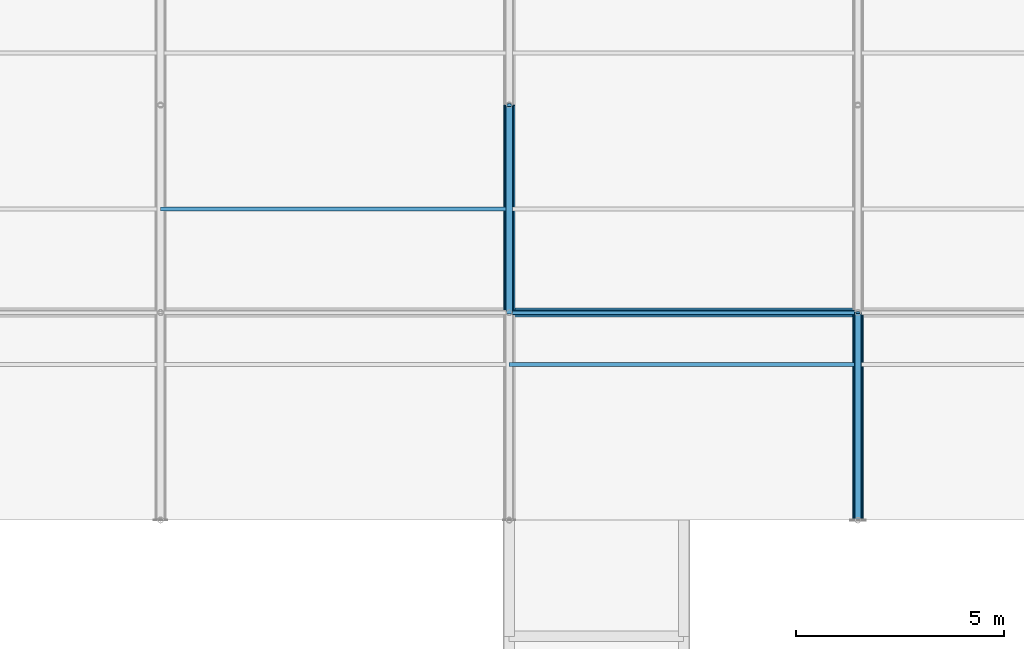
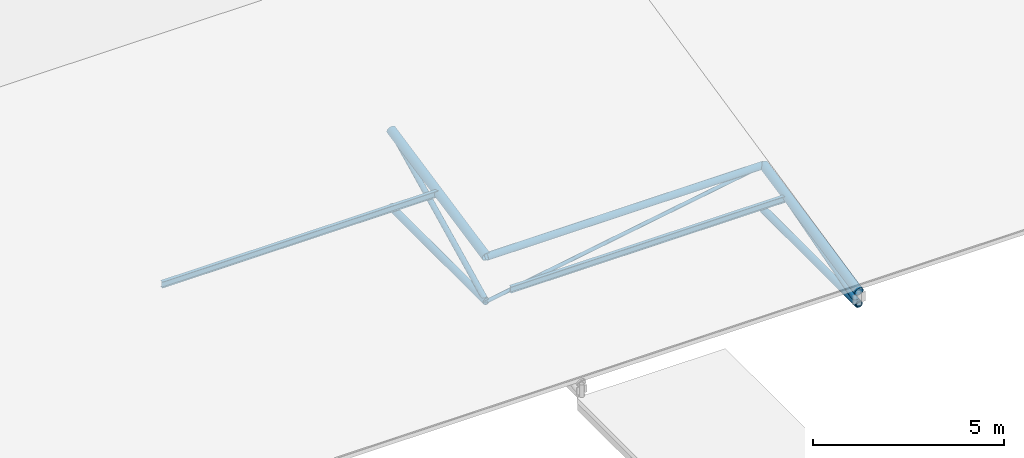
# One storey, part 21 of 194: 8 members, 2 beams.
"""IFC4 building model written with IfcOpenShell, lengths in metres."""

from ifc_helpers import new_model, si_unit, direction, frame, origin, origin_2d, place, context, subcontext, project, spatial, hollow_circle, i_section, extrude, material, material_profile, profile_set, type_object, element, save


model = new_model("IFC4")

# Units and contexts
model_context = context("Model", 3, precision=1e-05, world=origin(), true_north=direction((0.0, 1.0)))
body_context = subcontext(model_context, "Body", "Model", "MODEL_VIEW")
ifc_project = project(units=[si_unit("LENGTHUNIT", "METRE"), si_unit("AREAUNIT", "SQUARE_METRE"), si_unit("VOLUMEUNIT", "CUBIC_METRE"), si_unit("PLANEANGLEUNIT", "RADIAN"), si_unit("MASSUNIT", "GRAM", prefix="KILO")], contexts=[model_context])

# Site, building, storey
site_placement = place(None, origin())
site = spatial("IfcSite", under=ifc_project, at=site_placement, CompositionType="ELEMENT")
building_placement = place(site_placement, origin())
building = spatial("IfcBuilding", under=site, at=building_placement, Name="Kazenagashi Tramway Depot", CompositionType="ELEMENT")
storey_placement = place(building_placement, frame((0.0, 0.0, 23.7)))
storey = spatial("IfcBuildingStorey", under=building, at=storey_placement, Name="ROOF", CompositionType="ELEMENT", Elevation=23.7)

# Beams
ifc_material_1 = material(Name="Steel SN400B", Category="steel")
ifc_material_profile_1 = material_profile(ifc_material_1, i_section(OverallWidth=0.1, OverallDepth=0.2, WebThickness=0.0055, FlangeThickness=0.008, at=origin_2d()), Name="H-200x100x5.5x8")
ifc_profile_set_1 = profile_set([ifc_material_profile_1], Name="Steel SN400B")
beam_type = type_object("IfcBeamType", Name="PR-01", PredefinedType="USERDEFINED", material=ifc_profile_set_1)
for number, where, z_axis, x_axis, name in (
    (1, (86.8, 73.75, -12.955), (1.0, 0.0, 0.0), (0.0, 1.0, 0.0), "Beam PR-01 BM-2023"),
    (2, (78.4, 77.5, -12.13), (1.0, 0.0, 0.0), (0.0, 1.0, 0.0), "Beam PR-01 BM-2040"),
):
    element("IfcBeam", number, at=place(storey_placement, frame(where, z_axis=z_axis, x_axis=x_axis)), inside=storey, type_object=beam_type, Name=name, ObjectType="PURLIN", PredefinedType="USERDEFINED", context=body_context, shape_type="SweptSolid", body=[
        extrude(i_section(OverallWidth=0.1, OverallDepth=0.2, WebThickness=0.0055, FlangeThickness=0.008, at=origin_2d()), origin(), (0.0, 0.0, 1.0), 8.4),
    ])

# Members
ifc_material_2 = material(Name="Steel STK490", Category="steel")
ifc_material_profile_2 = material_profile(ifc_material_2, hollow_circle(Radius=0.1337, WallThickness=0.0093, at=origin_2d()), Name="CHS-267.4x9.3")
ifc_profile_set_2 = profile_set([ifc_material_profile_2], Name="Steel STK490")
member_type_1 = type_object("IfcMemberType", Name="TC-01", PredefinedType="CHORD", material=ifc_profile_set_2)
member_1_placement = place(storey_placement, frame((86.8, 75.0, -12.667), z_axis=(0.0, 0.979279174591, 0.202514933305), x_axis=(-1.0, 0.0, 0.0)))
element("IfcMember", 3, at=member_1_placement, inside=storey, type_object=member_type_1, Name="Tubular Space Frame TC-01 MEM-0309", PredefinedType="CHORD", context=body_context, shape_type="SweptSolid", body=[
    extrude(hollow_circle(Radius=0.1337, WallThickness=0.0093, at=origin_2d()), origin(), (0.0, 0.0, 1.0), 5.105796),
])
member_2_placement = place(storey_placement, frame((95.2, 70.0, -13.7), z_axis=(0.0, 0.979317999984, 0.202327098797), x_axis=(-1.0, 0.0, 0.0)))
element("IfcMember", 4, at=member_2_placement, inside=storey, type_object=member_type_1, Name="Tubular Space Frame TC-01 MEM-0367", PredefinedType="CHORD", context=body_context, shape_type="SweptSolid", body=[
    extrude(hollow_circle(Radius=0.1337, WallThickness=0.0093, at=origin_2d()), origin(), (0.0, 0.0, 1.0), 5.105594),
])
ifc_material_profile_3 = material_profile(ifc_material_2, hollow_circle(Radius=0.10815, WallThickness=0.0082, at=origin_2d()), Name="CHS-216.3x8.2")
ifc_profile_set_3 = profile_set([ifc_material_profile_3], Name="Steel STK490")
member_type_2 = type_object("IfcMemberType", Name="TC-02", PredefinedType="CHORD", material=ifc_profile_set_3)
member_3_placement = place(storey_placement, frame((86.8, 75.0, -14.1), z_axis=(0.0, 1.0, 0.0), x_axis=(-1.0, 0.0, 0.0)))
element("IfcMember", 5, at=member_3_placement, inside=storey, type_object=member_type_2, Name="Tubular Space Frame TC-02 MEM-0310", PredefinedType="CHORD", context=body_context, shape_type="SweptSolid", body=[
    extrude(hollow_circle(Radius=0.10815, WallThickness=0.0082, at=origin_2d()), origin(), (0.0, 0.0, 1.0), 5.0),
])
member_4_placement = place(storey_placement, frame((86.8, 75.0, -12.667), z_axis=(1.0, 0.0, 0.0), x_axis=(0.0, 1.0, 0.0)))
element("IfcMember", 6, at=member_4_placement, inside=storey, type_object=member_type_2, Name="Tubular Space Frame TC-02 MEM-0331", PredefinedType="CHORD", context=body_context, shape_type="SweptSolid", body=[
    extrude(hollow_circle(Radius=0.10815, WallThickness=0.0082, at=origin_2d()), origin(), (0.0, 0.0, 1.0), 8.4),
])
member_5_placement = place(storey_placement, frame((95.2, 70.0, -14.1), z_axis=(0.0, 1.0, 0.0), x_axis=(-1.0, 0.0, 0.0)))
element("IfcMember", 7, at=member_5_placement, inside=storey, type_object=member_type_2, Name="Tubular Space Frame TC-02 MEM-0368", PredefinedType="CHORD", context=body_context, shape_type="SweptSolid", body=[
    extrude(hollow_circle(Radius=0.10815, WallThickness=0.0082, at=origin_2d()), origin(), (0.0, 0.0, 1.0), 5.0),
])
ifc_material_profile_4 = material_profile(ifc_material_2, hollow_circle(Radius=0.0826, WallThickness=0.0071, at=origin_2d()), Name="CHS-165.2x7.1")
ifc_profile_set_4 = profile_set([ifc_material_profile_4], Name="Steel STK490")
member_type_3 = type_object("IfcMemberType", Name="TS-01", PredefinedType="STRUT", material=ifc_profile_set_4)
member_6_placement = place(storey_placement, frame((86.8, 75.0, -14.1), z_axis=(0.0, 0.896782162482, 0.442472318969), x_axis=(-1.0, 0.0, 0.0)))
element("IfcMember", 8, at=member_6_placement, inside=storey, type_object=member_type_3, Name="Tubular Space Frame TS-01 MEM-0311", PredefinedType="STRUT", context=body_context, shape_type="SweptSolid", body=[
    extrude(hollow_circle(Radius=0.0826, WallThickness=0.0071, at=origin_2d()), origin(), (0.0, 0.0, 1.0), 5.57549),
])
member_7_placement = place(storey_placement, frame((95.2, 70.0, -14.1), z_axis=(0.0, 0.961298717795, 0.27550821252), x_axis=(-1.0, 0.0, 0.0)))
element("IfcMember", 9, at=member_7_placement, inside=storey, type_object=member_type_3, Name="Tubular Space Frame TS-01 MEM-0369", PredefinedType="STRUT", context=body_context, shape_type="SweptSolid", body=[
    extrude(hollow_circle(Radius=0.0826, WallThickness=0.0071, at=origin_2d()), origin(), (0.0, 0.0, 1.0), 5.201297),
])
ifc_material_3 = material(Name="Steel STK400", Category="steel")
ifc_material_profile_5 = material_profile(ifc_material_3, hollow_circle(Radius=0.05715, WallThickness=0.0045, at=origin_2d()), Name="CHS-114.3x4.5")
ifc_profile_set_5 = profile_set([ifc_material_profile_5], Name="Steel STK400")
member_type_4 = type_object("IfcMemberType", Name="TS-03", PredefinedType="STRUT", material=ifc_profile_set_5)
member_8_placement = place(storey_placement, frame((86.8, 75.0, -14.1), z_axis=(0.985758734117, 0.0, 0.168165745951), x_axis=(0.0, 1.0, 0.0)))
element("IfcMember", 10, at=member_8_placement, inside=storey, type_object=member_type_4, Name="Tubular Space Frame TS-03 MEM-0332", PredefinedType="STRUT", context=body_context, shape_type="SweptSolid", body=[
    extrude(hollow_circle(Radius=0.05715, WallThickness=0.0045, at=origin_2d()), origin(), (0.0, 0.0, 1.0), 8.521355),
])

save(model, "model.ifc")
